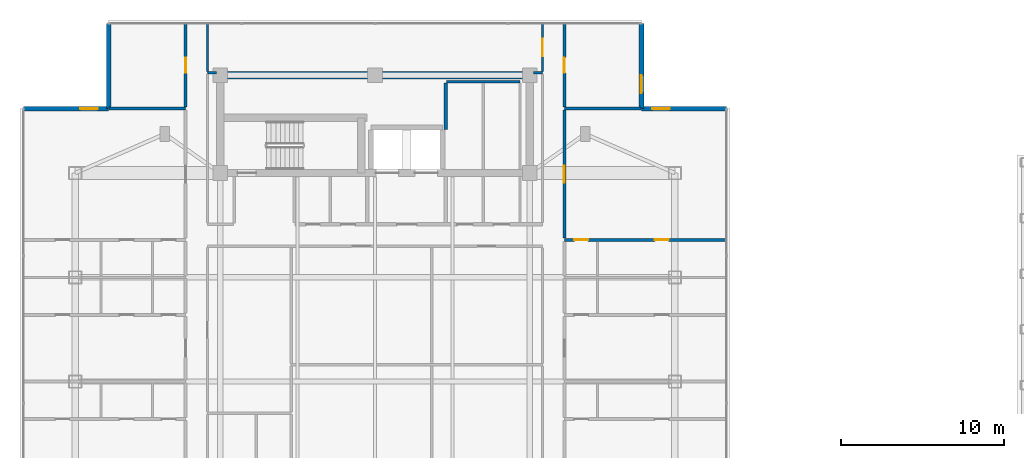
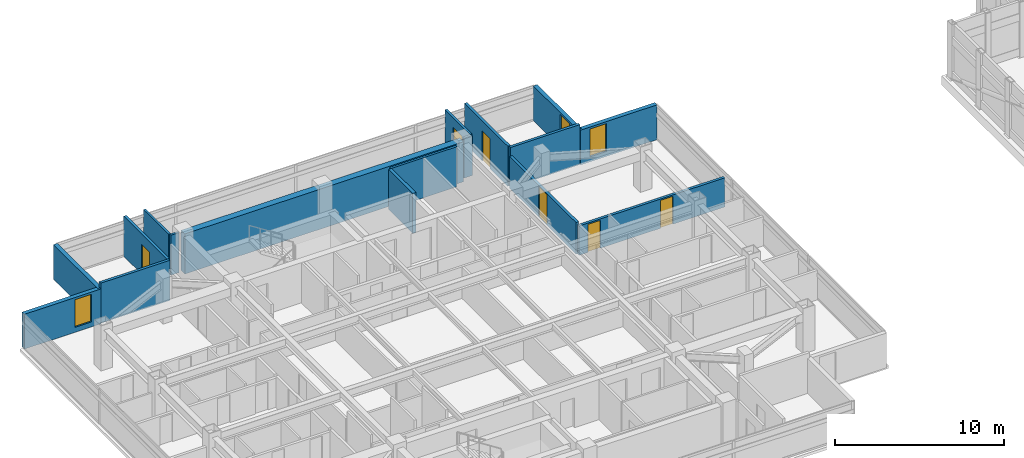
# One storey, part 13 of 17: 17 walls, 6 doors, 3 windows, 9 openings.
"""IFC4 building model written with IfcOpenShell, lengths in metres."""

from ifc_helpers import new_model, si_unit, direction, frame, frame_2d, origin, place, context, subcontext, project, spatial, rectangle, extrude, material, layer, layer_set, type_object, element, fill, save


model = new_model("IFC4")

# Units and contexts
model_context = context("Model", 3, precision=1e-05, world=origin(), true_north=direction((0.0, 1.0)))
body_context = subcontext(model_context, "Body", "Model", "MODEL_VIEW")
ifc_project = project(units=[si_unit("LENGTHUNIT", "METRE"), si_unit("AREAUNIT", "SQUARE_METRE"), si_unit("VOLUMEUNIT", "CUBIC_METRE"), si_unit("PLANEANGLEUNIT", "RADIAN"), si_unit("MASSUNIT", "GRAM", prefix="KILO")], contexts=[model_context])

# Site, building, storey
site_placement = place(None, origin())
site = spatial("IfcSite", under=ifc_project, at=site_placement, CompositionType="ELEMENT")
building_placement = place(site_placement, origin())
building = spatial("IfcBuilding", under=site, at=building_placement, Name="Mirazonda Arch Towers", CompositionType="ELEMENT")
storey_placement = place(building_placement, frame((0.0, 0.0, 209.64990234375)))
storey = spatial("IfcBuildingStorey", under=building, at=storey_placement, Name="L60", CompositionType="ELEMENT", Elevation=209.64990234375)

# Wall
ifc_material_1 = material(Name="Concrete C50/60", Category="concrete")
ifc_layer_1 = layer(ifc_material_1, 0.449951171875, Name="WALL-CORE-450")
ifc_layer_set_1 = layer_set([ifc_layer_1], Name="Concrete C50/60")
wall_type_1 = type_object("IfcWallType", Name="WALL-CORE-450", PredefinedType="SHEAR", material=ifc_layer_set_1)
wall_1_placement = place(storey_placement, frame((11.0, 43.60009765625, 0.0), z_axis=(0.0, 0.0, 1.0), x_axis=(1.0, 0.0, 0.0)))
element("IfcWall", 1, at=wall_1_placement, inside=storey, type_object=wall_type_1, Name="L60 T1N-N Core Shear Wall", PredefinedType="SHEAR", context=body_context, shape_type="SweptSolid", body=[
    extrude(rectangle(XDim=19.0, YDim=0.449951171875, at=frame_2d((9.5, 0.0))), origin(), (0.0, 0.0, 1.0), 2.89013671875),
])

# Wall, opening, window
ifc_material_2 = material(Name="Precast Concrete C40/50", Category="concrete")
ifc_layer_2 = layer(ifc_material_2, 0.280029296875, Name="WALL-EXT-WALL-280")
ifc_layer_set_2 = layer_set([ifc_layer_2], Name="Precast Concrete C40/50")
wall_type_2 = type_object("IfcWallType", Name="WALL-EXT-WALL-280", PredefinedType="SOLIDWALL", material=ifc_layer_set_2)
wall_2_placement = place(storey_placement, frame((36.85498046875, 41.55908203125, 0.0), z_axis=(0.0, 0.0, 1.0), x_axis=(0.0, 1.0, 0.0)))
wall_2 = element("IfcWall", 2, at=wall_2_placement, inside=storey, type_object=wall_type_2, Name="L60 T1 Notched NE Corner Wall WL-L60-T1-CNE", PredefinedType="SOLIDWALL", context=body_context, shape_type="SweptSolid", body=[
    extrude(rectangle(XDim=5.21484375, YDim=0.280029296875, at=frame_2d((2.607421875, 0.0))), origin(), (0.0, 0.0, 1.0), 2.510009765625),
])
opening_1_placement = place(wall_2_placement, frame((0.949951171875, 0.0, 0.360107421875)))
opening_1 = element("IfcOpeningElement", 3, at=opening_1_placement, cuts=wall_2, Name="Opening WN-108", PredefinedType="OPENING", context=body_context, shape_type="SweptSolid", body=[
    extrude(rectangle(XDim=1.10009765625, YDim=2.0, at=frame_2d((0.550048828125, 1.0))), frame((0.0, 0.14990234375, 0.0), z_axis=(0.0, -1.0, 0.0), x_axis=(1.0, 0.0, 0.0)), (0.0, 0.0, 1.0), 0.300048828125),
])
ifc_material_3 = material(Name="Insulated Low-E Solar Glass", Category="glass")
window_type = type_object("IfcWindowType", Name="WIN-NOTCH-1100x2000", PartitioningType="SINGLE_PANEL", PredefinedType="WINDOW", material=ifc_material_3)
window_1_placement = place(opening_1_placement, origin())
window_1 = element("IfcWindow", 4, at=window_1_placement, inside=storey, type_object=window_type, Name="L60 Punched Facade Window WN-L60-T1-CNE", OverallHeight=2.0, OverallWidth=1.10009765625, PartitioningType="SINGLE_PANEL", PredefinedType="WINDOW", context=body_context, shape_type="SweptSolid", body=[
    extrude(rectangle(XDim=1.10009765625, YDim=2.0, at=frame_2d((0.550048828125, 1.0))), frame((0.0, 0.030029296875, 0.0), z_axis=(0.0, -1.0, 0.0), x_axis=(1.0, 0.0, 0.0)), (0.0, 0.0, 1.0), 0.06005859375),
])
fill(opening_1, window_1)

wall_3_placement = place(storey_placement, frame((4.14501953125, 41.55908203125, 0.0), z_axis=(0.0, 0.0, 1.0), x_axis=(-1.0, 0.0, 0.0)))
wall_3 = element("IfcWall", 5, at=wall_3_placement, inside=storey, type_object=wall_type_2, Name="L60 T1 Corner Notch Return Wall WL-L60-T1-CNW1", PredefinedType="SOLIDWALL", context=body_context, shape_type="SweptSolid", body=[
    extrude(rectangle(XDim=5.215087890625, YDim=0.280029296875, at=frame_2d((2.607421875, 0.0))), origin(), (0.0, 0.0, 1.0), 2.510009765625),
])
opening_2_placement = place(wall_3_placement, frame((0.64990234375, 0.0, 0.360107421875)))
opening_2 = element("IfcOpeningElement", 6, at=opening_2_placement, cuts=wall_3, Name="Opening WN-108", PredefinedType="OPENING", context=body_context, shape_type="SweptSolid", body=[
    extrude(rectangle(XDim=1.10009765625, YDim=2.0, at=frame_2d((0.550048828125, 1.0))), frame((0.0, 0.14990234375, 0.0), z_axis=(0.0, -1.0, 0.0), x_axis=(1.0, 0.0, 0.0)), (0.0, 0.0, 1.0), 0.300048828125),
])
window_2_placement = place(opening_2_placement, origin())
window_2 = element("IfcWindow", 7, at=window_2_placement, inside=storey, type_object=window_type, Name="L60 Punched Facade Window WN-L60-T1-CNW1", OverallHeight=2.0, OverallWidth=1.10009765625, PartitioningType="SINGLE_PANEL", PredefinedType="WINDOW", context=body_context, shape_type="SweptSolid", body=[
    extrude(rectangle(XDim=1.10009765625, YDim=2.0, at=frame_2d((0.550048828125, 1.0))), frame((0.0, 0.030029296875, 0.0), z_axis=(0.0, -1.0, 0.0), x_axis=(1.0, 0.0, 0.0)), (0.0, 0.0, 1.0), 0.06005859375),
])
fill(opening_2, window_2)

# Wall
wall_4_placement = place(storey_placement, frame((4.14501953125, 46.77392578125, 0.0), z_axis=(0.0, 0.0, 1.0), x_axis=(0.0, -1.0, 0.0)))
element("IfcWall", 8, at=wall_4_placement, inside=storey, type_object=wall_type_2, Name="L60 T1 Corner Notch Return Wall WL-L60-T1-CNW2", PredefinedType="SOLIDWALL", context=body_context, shape_type="SweptSolid", body=[
    extrude(rectangle(XDim=5.21484375, YDim=0.280029296875, at=frame_2d((2.607421875, 0.0))), origin(), (0.0, 0.0, 1.0), 2.510009765625),
])

# Wall, opening, window
wall_5_placement = place(storey_placement, frame((42.070068359375, 41.55908203125, 0.0), z_axis=(0.0, 0.0, 1.0), x_axis=(-1.0, 0.0, 0.0)))
wall_5 = element("IfcWall", 9, at=wall_5_placement, inside=storey, type_object=wall_type_2, Name="L60 T1 Corner Notch Return Wall WL-L60-T1-CNE2", PredefinedType="SOLIDWALL", context=body_context, shape_type="SweptSolid", body=[
    extrude(rectangle(XDim=5.215087890625, YDim=0.280029296875, at=frame_2d((2.607421875, 0.0))), origin(), (0.0, 0.0, 1.0), 2.510009765625),
])
opening_3_placement = place(wall_5_placement, frame((3.465087890625, 0.0, 0.360107421875)))
opening_3 = element("IfcOpeningElement", 10, at=opening_3_placement, cuts=wall_5, Name="Opening WN-108", PredefinedType="OPENING", context=body_context, shape_type="SweptSolid", body=[
    extrude(rectangle(XDim=1.10009765625, YDim=2.0, at=frame_2d((0.550048828125, 1.0))), frame((0.0, 0.14990234375, 0.0), z_axis=(0.0, -1.0, 0.0), x_axis=(1.0, 0.0, 0.0)), (0.0, 0.0, 1.0), 0.300048828125),
])
window_3_placement = place(opening_3_placement, origin())
window_3 = element("IfcWindow", 11, at=window_3_placement, inside=storey, type_object=window_type, Name="L60 Punched Facade Window WN-L60-T1-CNE2", OverallHeight=2.0, OverallWidth=1.10009765625, PartitioningType="SINGLE_PANEL", PredefinedType="WINDOW", context=body_context, shape_type="SweptSolid", body=[
    extrude(rectangle(XDim=1.10009765625, YDim=2.0, at=frame_2d((0.550048828125, 1.0))), frame((0.0, 0.030029296875, 0.0), z_axis=(0.0, -1.0, 0.0), x_axis=(1.0, 0.0, 0.0)), (0.0, 0.0, 1.0), 0.06005859375),
])
fill(opening_3, window_3)

# Walls
ifc_material_4 = material(Name="Concrete C40/50", Category="concrete")
ifc_layer_3 = layer(ifc_material_4, 0.219970703125, Name="WALL-FFL-220")
ifc_layer_set_3 = layer_set([ifc_layer_3], Name="Concrete C40/50")
wall_type_3 = type_object("IfcWallType", Name="WALL-FFL-220", PredefinedType="SOLIDWALL", material=ifc_layer_set_3)
wall_6_placement = place(storey_placement, frame((24.85009765625, 40.260009765625, 0.0), z_axis=(0.0, 0.0, 1.0), x_axis=(0.0, 1.0, 0.0)))
element("IfcWall", 12, at=wall_6_placement, inside=storey, type_object=wall_type_3, Name="L60 Interior Partition 078", PredefinedType="SOLIDWALL", context=body_context, shape_type="SweptSolid", body=[
    extrude(rectangle(XDim=2.85498046875, YDim=0.219970703125, at=frame_2d((1.427490234375, 0.0))), origin(), (0.0, 0.0, 1.0), 2.89013671875),
])
ifc_material_5 = material(Name="Fire-Rated Gypsum Stud Partition")
ifc_layer_4 = layer(ifc_material_5, 0.14990234375, Name="WALL-PART-CORR-150")
ifc_layer_set_4 = layer_set([ifc_layer_4], Name="Fire-Rated Gypsum Stud Partition")
wall_type_4 = type_object("IfcWallType", Name="WALL-PART-CORR-150", PredefinedType="PARTITIONING", material=ifc_layer_set_4)
wall_7_placement = place(storey_placement, frame((24.89990234375, 43.199951171875, 0.0), z_axis=(0.0, 0.0, 1.0), x_axis=(1.0, 0.0, 0.0)))
element("IfcWall", 13, at=wall_7_placement, inside=storey, type_object=wall_type_4, Name="L60 Interior Partition 036", PredefinedType="PARTITIONING", context=body_context, shape_type="SweptSolid", body=[
    extrude(rectangle(XDim=4.5, YDim=0.14990234375, at=frame_2d((2.25, 0.0))), origin(), (0.0, 0.0, 1.0), 2.89013671875),
])
for number, where, z_axis, x_axis, name in (
    (14, (10.219970703125, 43.75, 0.0), (0.0, 0.0, 1.0), (1.0, 0.0, 0.0), "L60 Interior Partition 037"),
    (15, (30.219970703125, 43.75, 0.0), (0.0, 0.0, 1.0), (1.0, 0.0, 0.0), "L60 Interior Partition 038"),
):
    element("IfcWall", number, at=place(storey_placement, frame(where, z_axis=z_axis, x_axis=x_axis)), inside=storey, type_object=wall_type_4, Name=name, PredefinedType="PARTITIONING", context=body_context, shape_type="SweptSolid", body=[
        extrude(rectangle(XDim=0.56005859375, YDim=0.14990234375, at=frame_2d((0.280029296875, 0.0))), origin(), (0.0, 0.0, 1.0), 2.89013671875),
    ])
wall_8_placement = place(storey_placement, frame((10.219970703125, 43.8349609375, 0.0), z_axis=(0.0, 0.0, 1.0), x_axis=(0.0, 1.0, 0.0)))
element("IfcWall", 16, at=wall_8_placement, inside=storey, type_object=wall_type_4, Name="L60 Interior Partition 058", PredefinedType="PARTITIONING", context=body_context, shape_type="SweptSolid", body=[
    extrude(rectangle(XDim=2.93896484375, YDim=0.14990234375, at=frame_2d((1.469482421875, 0.0))), origin(), (0.0, 0.0, 1.0), 2.89013671875),
])

# Wall, opening, door
wall_9_placement = place(storey_placement, frame((30.780029296875, 43.8349609375, 0.0), z_axis=(0.0, 0.0, 1.0), x_axis=(0.0, 1.0, 0.0)))
wall_9 = element("IfcWall", 17, at=wall_9_placement, inside=storey, type_object=wall_type_4, Name="L60 Interior Partition 090", PredefinedType="PARTITIONING", context=body_context, shape_type="SweptSolid", body=[
    extrude(rectangle(XDim=2.93896484375, YDim=0.14990234375, at=frame_2d((1.469482421875, 0.0))), origin(), (0.0, 0.0, 1.0), 2.89013671875),
])
opening_4_placement = place(wall_9_placement, frame((0.944580078125, 0.0, 0.0)))
opening_4 = element("IfcOpeningElement", 18, at=opening_4_placement, cuts=wall_9, Name="Opening DR-121", PredefinedType="OPENING", context=body_context, shape_type="SweptSolid", body=[
    extrude(rectangle(XDim=1.050048828125, YDim=2.199951171875, at=frame_2d((0.52490234375, 1.10009765625))), frame((0.0, 0.0849609375, 0.0), z_axis=(0.0, -1.0, 0.0), x_axis=(1.0, 0.0, 0.0)), (0.0, 0.0, 1.0), 0.169921875),
])
ifc_material_6 = material(Name="Architectural Brushed Steel S355", Category="steel")
door_type_1 = type_object("IfcDoorType", Name="DOOR-SUITE-FD60-1050", OperationType="NOTDEFINED", PredefinedType="DOOR", material=ifc_material_6)
door_1_placement = place(opening_4_placement, origin())
door_1 = element("IfcDoor", 19, at=door_1_placement, inside=storey, type_object=door_type_1, Name="L60 North Bay Sunroom Suite Door", OperationType="SINGLE_SWING_RIGHT", OverallHeight=2.199951171875, OverallWidth=1.050048828125, PredefinedType="DOOR", context=body_context, shape_type="SweptSolid", body=[
    extrude(rectangle(XDim=1.050048828125, YDim=2.199951171875, at=frame_2d((0.52490234375, 1.10009765625))), frame((0.0, 0.02490234375, 0.0), z_axis=(0.0, -1.0, 0.0), x_axis=(1.0, 0.0, 0.0)), (0.0, 0.0, 1.0), 0.050048828125),
])
fill(opening_4, door_1)

# Wall, openings, doors
ifc_material_7 = material(Name="Fire-Rated Gypsum Twin-Stud Assembly")
ifc_layer_5 = layer(ifc_material_7, 0.179931640625, Name="WALL-PART-DEMISE-180")
ifc_layer_set_5 = layer_set([ifc_layer_5], Name="Fire-Rated Gypsum Twin-Stud Assembly")
wall_type_5 = type_object("IfcWallType", Name="WALL-PART-DEMISE-180", PredefinedType="PARTITIONING", material=ifc_layer_set_5)
wall_10_placement = place(storey_placement, frame((32.1201171875, 33.5, 0.0), z_axis=(0.0, 0.0, 1.0), x_axis=(1.0, 0.0, 0.0)))
wall_10 = element("IfcWall", 20, at=wall_10_placement, inside=storey, type_object=wall_type_5, Name="L60 Interior Partition 028", PredefinedType="PARTITIONING", context=body_context, shape_type="SweptSolid", body=[
    extrude(rectangle(XDim=9.949951171875, YDim=0.179931640625, at=frame_2d((4.97509765625, 0.0))), origin(), (0.0, 0.0, 1.0), 2.109130859375),
])
opening_5_placement = place(wall_10_placement, frame((5.550048828125, 0.0, 0.0)))
opening_5 = element("IfcOpeningElement", 21, at=opening_5_placement, cuts=wall_10, Name="Opening DR-128", PredefinedType="OPENING", context=body_context, shape_type="SweptSolid", body=[
    extrude(rectangle(XDim=0.85009765625, YDim=2.010009765625, at=frame_2d((0.425048828125, 1.0048828125))), frame((0.0, 0.099853515625, 0.0), z_axis=(0.0, -1.0, 0.0), x_axis=(1.0, 0.0, 0.0)), (0.0, 0.0, 1.0), 0.199951171875),
])
opening_6_placement = place(wall_10_placement, frame((0.614990234375, 0.0, 0.0)))
opening_6 = element("IfcOpeningElement", 22, at=opening_6_placement, cuts=wall_10, Name="Opening DR-128", PredefinedType="OPENING", context=body_context, shape_type="SweptSolid", body=[
    extrude(rectangle(XDim=0.85009765625, YDim=2.010009765625, at=frame_2d((0.425048828125, 1.0048828125))), frame((0.0, 0.099853515625, 0.0), z_axis=(0.0, -1.0, 0.0), x_axis=(1.0, 0.0, 0.0)), (0.0, 0.0, 1.0), 0.199951171875),
])
door_type_2 = type_object("IfcDoorType", Name="DOOR-RISER-FD60-850", OperationType="NOTDEFINED", PredefinedType="DOOR", material=ifc_material_6)
door_2_placement = place(opening_5_placement, origin())
door_2 = element("IfcDoor", 23, at=door_2_placement, inside=storey, type_object=door_type_2, Name="L60 Studio 3 Galley Kitchen Door", OperationType="SINGLE_SWING_RIGHT", OverallHeight=2.010009765625, OverallWidth=0.85009765625, PredefinedType="DOOR", context=body_context, shape_type="SweptSolid", body=[
    extrude(rectangle(XDim=0.85009765625, YDim=2.010009765625, at=frame_2d((0.425048828125, 1.0048828125))), frame((0.0, 0.02490234375, 0.0), z_axis=(0.0, -1.0, 0.0), x_axis=(1.0, 0.0, 0.0)), (0.0, 0.0, 1.0), 0.050048828125),
])
fill(opening_5, door_2)
door_3_placement = place(opening_6_placement, origin())
door_3 = element("IfcDoor", 24, at=door_3_placement, inside=storey, type_object=door_type_2, Name="L60 Studio 3 Bathroom Door", OperationType="SINGLE_SWING_LEFT", OverallHeight=2.010009765625, OverallWidth=0.85009765625, PredefinedType="DOOR", context=body_context, shape_type="SweptSolid", body=[
    extrude(rectangle(XDim=0.85009765625, YDim=2.010009765625, at=frame_2d((0.425048828125, 1.0048828125))), frame((0.0, 0.02490234375, 0.0), z_axis=(0.0, -1.0, 0.0), x_axis=(1.0, 0.0, 0.0)), (0.0, 0.0, 1.0), 0.050048828125),
])
fill(opening_6, door_3)

# Walls
for number, where, z_axis, x_axis, name in (
    (25, (4.1650390625, 41.55908203125, 0.0), (0.0, 0.0, 1.0), (1.0, 0.0, 0.0), "L60 Interior Partition 034"),
    (26, (32.1201171875, 41.55908203125, 0.0), (0.0, 0.0, 1.0), (1.0, 0.0, 0.0), "L60 Interior Partition 035"),
):
    element("IfcWall", number, at=place(storey_placement, frame(where, z_axis=z_axis, x_axis=x_axis)), inside=storey, type_object=wall_type_5, Name=name, PredefinedType="PARTITIONING", context=body_context, shape_type="SweptSolid", body=[
        extrude(rectangle(XDim=4.71484375, YDim=0.179931640625, at=frame_2d((2.357421875, 0.0))), origin(), (0.0, 0.0, 1.0), 2.89013671875),
    ])

# Wall, opening, door
wall_11_placement = place(storey_placement, frame((8.8798828125, 41.658935546875, 0.0), z_axis=(0.0, 0.0, 1.0), x_axis=(0.0, 1.0, 0.0)))
wall_11 = element("IfcWall", 27, at=wall_11_placement, inside=storey, type_object=wall_type_5, Name="L60 Interior Partition 052", PredefinedType="PARTITIONING", context=body_context, shape_type="SweptSolid", body=[
    extrude(rectangle(XDim=5.114990234375, YDim=0.179931640625, at=frame_2d((2.5576171875, 0.0))), origin(), (0.0, 0.0, 1.0), 2.89013671875),
])
opening_7_placement = place(wall_11_placement, frame((2.08251953125, 0.0, 0.0)))
opening_7 = element("IfcOpeningElement", 28, at=opening_7_placement, cuts=wall_11, Name="Opening DR-104", PredefinedType="OPENING", context=body_context, shape_type="SweptSolid", body=[
    extrude(rectangle(XDim=0.949951171875, YDim=2.14990234375, at=frame_2d((0.47509765625, 1.074951171875))), frame((0.0, 0.099853515625, 0.0), z_axis=(0.0, -1.0, 0.0), x_axis=(1.0, 0.0, 0.0)), (0.0, 0.0, 1.0), 0.199951171875),
])
door_type_3 = type_object("IfcDoorType", Name="DOOR-ROOM-950", OperationType="NOTDEFINED", PredefinedType="DOOR", material=ifc_material_6)
door_4_placement = place(opening_7_placement, origin())
door_4 = element("IfcDoor", 29, at=door_4_placement, inside=storey, type_object=door_type_3, Name="L60 North Bay Sunroom Alcove West Door", OperationType="SINGLE_SWING_LEFT", OverallHeight=2.14990234375, OverallWidth=0.949951171875, PredefinedType="DOOR", context=body_context, shape_type="SweptSolid", body=[
    extrude(rectangle(XDim=0.949951171875, YDim=2.14990234375, at=frame_2d((0.47509765625, 1.074951171875))), frame((0.0, 0.02490234375, 0.0), z_axis=(0.0, -1.0, 0.0), x_axis=(1.0, 0.0, 0.0)), (0.0, 0.0, 1.0), 0.050048828125),
])
fill(opening_7, door_4)

wall_12_placement = place(storey_placement, frame((32.1201171875, 33.60009765625, 0.0), z_axis=(0.0, 0.0, 1.0), x_axis=(0.0, 1.0, 0.0)))
wall_12 = element("IfcWall", 30, at=wall_12_placement, inside=storey, type_object=wall_type_5, Name="L60 Interior Partition 097", PredefinedType="PARTITIONING", context=body_context, shape_type="SweptSolid", body=[
    extrude(rectangle(XDim=7.85888671875, YDim=0.179931640625, at=frame_2d((3.929443359375, 0.0))), origin(), (0.0, 0.0, 1.0), 2.281982421875),
])
opening_8_placement = place(wall_12_placement, frame((3.404541015625, 0.0, 0.0)))
opening_8 = element("IfcOpeningElement", 31, at=opening_8_placement, cuts=wall_12, Name="Opening DR-121", PredefinedType="OPENING", context=body_context, shape_type="SweptSolid", body=[
    extrude(rectangle(XDim=1.050048828125, YDim=2.199951171875, at=frame_2d((0.52490234375, 1.10009765625))), frame((0.0, 0.099853515625, 0.0), z_axis=(0.0, -1.0, 0.0), x_axis=(1.0, 0.0, 0.0)), (0.0, 0.0, 1.0), 0.199951171875),
])
door_5_placement = place(opening_8_placement, origin())
door_5 = element("IfcDoor", 32, at=door_5_placement, inside=storey, type_object=door_type_1, Name="L60 Studio Apartment 3 Living Salon Door", OperationType="SINGLE_SWING_LEFT", OverallHeight=2.199951171875, OverallWidth=1.050048828125, PredefinedType="DOOR", context=body_context, shape_type="SweptSolid", body=[
    extrude(rectangle(XDim=1.050048828125, YDim=2.199951171875, at=frame_2d((0.52490234375, 1.10009765625))), frame((0.0, 0.02490234375, 0.0), z_axis=(0.0, -1.0, 0.0), x_axis=(1.0, 0.0, 0.0)), (0.0, 0.0, 1.0), 0.050048828125),
])
fill(opening_8, door_5)

wall_13_placement = place(storey_placement, frame((32.1201171875, 41.658935546875, 0.0), z_axis=(0.0, 0.0, 1.0), x_axis=(0.0, 1.0, 0.0)))
wall_13 = element("IfcWall", 33, at=wall_13_placement, inside=storey, type_object=wall_type_5, Name="L60 Interior Partition 098", PredefinedType="PARTITIONING", context=body_context, shape_type="SweptSolid", body=[
    extrude(rectangle(XDim=5.114990234375, YDim=0.179931640625, at=frame_2d((2.5576171875, 0.0))), origin(), (0.0, 0.0, 1.0), 2.89013671875),
])
opening_9_placement = place(wall_13_placement, frame((2.08251953125, 0.0, 0.0)))
opening_9 = element("IfcOpeningElement", 34, at=opening_9_placement, cuts=wall_13, Name="Opening DR-104", PredefinedType="OPENING", context=body_context, shape_type="SweptSolid", body=[
    extrude(rectangle(XDim=0.949951171875, YDim=2.14990234375, at=frame_2d((0.47509765625, 1.074951171875))), frame((0.0, 0.099853515625, 0.0), z_axis=(0.0, -1.0, 0.0), x_axis=(1.0, 0.0, 0.0)), (0.0, 0.0, 1.0), 0.199951171875),
])
door_6_placement = place(opening_9_placement, origin())
door_6 = element("IfcDoor", 35, at=door_6_placement, inside=storey, type_object=door_type_3, Name="L60 North Bay Sunroom Alcove East Door", OperationType="SINGLE_SWING_RIGHT", OverallHeight=2.14990234375, OverallWidth=0.949951171875, PredefinedType="DOOR", context=body_context, shape_type="SweptSolid", body=[
    extrude(rectangle(XDim=0.949951171875, YDim=2.14990234375, at=frame_2d((0.47509765625, 1.074951171875))), frame((0.0, 0.02490234375, 0.0), z_axis=(0.0, -1.0, 0.0), x_axis=(1.0, 0.0, 0.0)), (0.0, 0.0, 1.0), 0.050048828125),
])
fill(opening_9, door_6)

save(model, "model.ifc")
